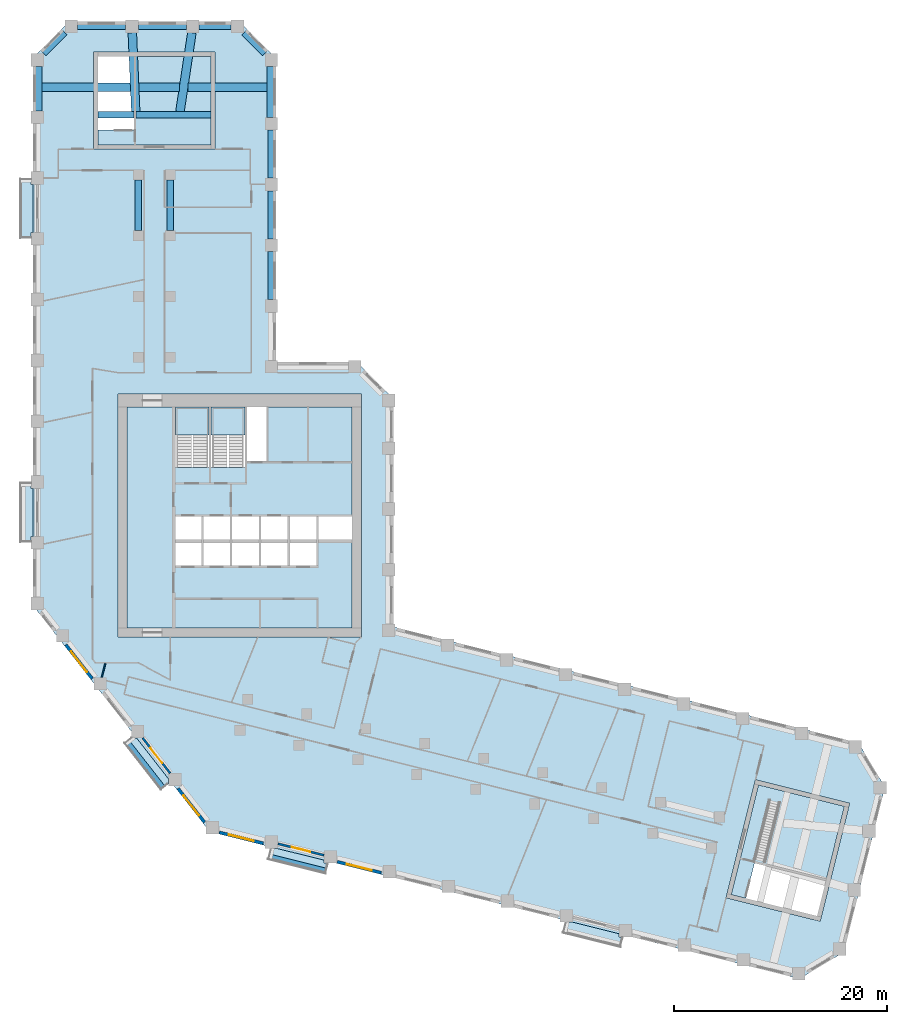
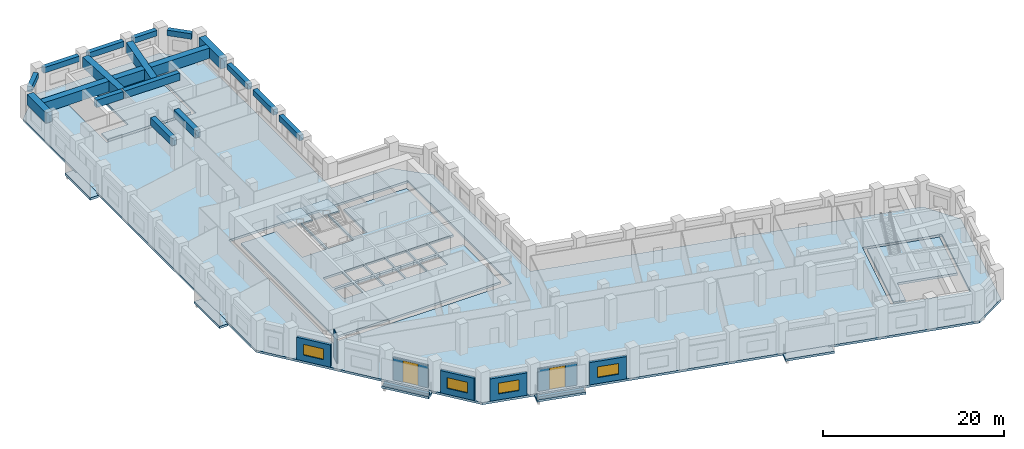
# One storey, part 2 of 10: 19 beams, 11 slabs, 9 walls, 4 windows, 2 doors, 6 openings, 2 elements without a shape of their own.
"""IFC4 building model written with IfcOpenShell, lengths in metres."""

from ifc_helpers import new_model, si_unit, direction, frame, frame_2d, origin, origin_2d, place, context, subcontext, project, spatial, polyline, rectangle, outline, extrude, material, layer, layer_set, material_profile, profile_set, type_object, element, fill, aggregate, save


model = new_model("IFC4")

# Units and contexts
model_context = context("Model", 3, precision=1e-05, world=origin(), true_north=direction((0.0, 1.0)))
body_context = subcontext(model_context, "Body", "Model", "MODEL_VIEW")
ifc_project = project(units=[si_unit("LENGTHUNIT", "METRE"), si_unit("AREAUNIT", "SQUARE_METRE"), si_unit("VOLUMEUNIT", "CUBIC_METRE"), si_unit("PLANEANGLEUNIT", "RADIAN"), si_unit("MASSUNIT", "GRAM", prefix="KILO")], contexts=[model_context])

# Site, building, storey
site_placement = place(None, origin())
site = spatial("IfcSite", under=ifc_project, at=site_placement, CompositionType="ELEMENT")
building_placement = place(site_placement, origin())
building = spatial("IfcBuilding", under=site, at=building_placement, Name="Meshkara Civic Tower", CompositionType="ELEMENT")
storey_placement = place(building_placement, frame((0.0, 0.0, 216.0)))
storey = spatial("IfcBuildingStorey", under=building, at=storey_placement, Name="L49", CompositionType="ELEMENT", Elevation=216.0)

# Beams
ifc_material_1 = material(Name="Concrete C70", Category="concrete")
ifc_material_profile_1 = material_profile(ifc_material_1, rectangle(XDim=0.60009765625, YDim=1.0, at=origin_2d()))
ifc_profile_set_1 = profile_set([ifc_material_profile_1], Name="Concrete C70")
beam_type_1 = type_object("IfcBeamType", Name="Core transfer beam RC 600x1000 C70", PredefinedType="BEAM", material=ifc_profile_set_1)
for number, where, z_axis, x_axis, name in (
    (1, (9.89990234375, 52.25, 3.25), (0.0, 1.0, 0.0), (-1.0, 0.0, 0.0), "Transfer beam A L50 core-side wall"),
    (2, (12.89990234375, 52.25, 3.25), (0.0, 1.0, 0.0), (-1.0, 0.0, 0.0), "Transfer beam A L50 core-side wall"),
):
    element("IfcBeam", number, at=place(storey_placement, frame(where, z_axis=z_axis, x_axis=x_axis)), inside=storey, type_object=beam_type_1, Name=name, PredefinedType="BEAM", context=body_context, shape_type="SweptSolid", body=[
        extrude(rectangle(XDim=0.60009765625, YDim=1.0, at=origin_2d()), origin(), (0.0, 0.0, 1.0), 4.699951171875),
    ])
beam_1_placement = place(storey_placement, frame((6.10009765625, 63.070068359375, 3.25), z_axis=(1.0, 0.0, 0.0), x_axis=(0.0, 1.0, 0.0)))
element("IfcBeam", 3, at=beam_1_placement, inside=storey, type_object=beam_type_1, Name="Transfer beam A L50 tip-side wall", PredefinedType="BEAM", context=body_context, shape_type="SweptSolid", body=[
    extrude(rectangle(XDim=0.60009765625, YDim=1.0, at=origin_2d()), origin(), (0.0, 0.0, 1.0), 3.39990234375),
])
beam_2_placement = place(storey_placement, frame((9.699951171875, 63.070068359375, 3.25), z_axis=(1.0, 0.0, 0.0), x_axis=(0.0, 1.0, 0.0)))
element("IfcBeam", 4, at=beam_2_placement, inside=storey, type_object=beam_type_1, Name="Transfer beam A L50 tip-side wall", PredefinedType="BEAM", context=body_context, shape_type="SweptSolid", body=[
    extrude(rectangle(XDim=0.60009765625, YDim=1.0, at=origin_2d()), origin(), (0.0, 0.0, 1.0), 7.0),
])
ifc_material_2 = material(Name="Concrete C60", Category="concrete")
ifc_material_profile_2 = material_profile(ifc_material_2, rectangle(XDim=0.550048828125, YDim=0.75, at=origin_2d()))
ifc_profile_set_2 = profile_set([ifc_material_profile_2], Name="Concrete C60")
beam_type_2 = type_object("IfcBeamType", Name="Spandrel beam RC 550x750 C60", PredefinedType="BEAM", material=ifc_profile_set_2)
beam_3_placement = place(storey_placement, frame((22.35009765625, 45.7451171875, 3.375), z_axis=(0.0, 1.0, 0.0), x_axis=(-1.0, 0.0, 0.0)))
element("IfcBeam", 5, at=beam_3_placement, inside=storey, type_object=beam_type_2, Name="Spandrel beam AE01-AE02", PredefinedType="BEAM", context=body_context, shape_type="SweptSolid", body=[
    extrude(rectangle(XDim=0.550048828125, YDim=0.75, at=origin_2d()), origin(), (0.0, 0.0, 1.0), 4.509765625),
])
for number, where, z_axis, x_axis, name in (
    (6, (22.35009765625, 51.445068359375, 3.375), (0.0, 1.0, 0.0), (-1.0, 0.0, 0.0), "Spandrel beam AE02-AE03"),
    (7, (22.35009765625, 57.14501953125, 3.375), (0.0, 1.0, 0.0), (-1.0, 0.0, 0.0), "Spandrel beam AE03-AE04"),
):
    element("IfcBeam", number, at=place(storey_placement, frame(where, z_axis=z_axis, x_axis=x_axis)), inside=storey, type_object=beam_type_2, Name=name, PredefinedType="BEAM", context=body_context, shape_type="SweptSolid", body=[
        extrude(rectangle(XDim=0.550048828125, YDim=0.75, at=origin_2d()), origin(), (0.0, 0.0, 1.0), 4.510009765625),
    ])
beam_4_placement = place(storey_placement, frame((21.75341796875, 68.810546875, 3.375), z_axis=(-0.707106781187, 0.707106781187, 0.0), x_axis=(-0.707106781187, -0.707106781187, 0.0)))
element("IfcBeam", 8, at=beam_4_placement, inside=storey, type_object=beam_type_2, Name="Spandrel beam AEEP2-ATiEP2", PredefinedType="BEAM", context=body_context, shape_type="SweptSolid", body=[
    extrude(rectangle(XDim=0.550048828125, YDim=0.75, at=origin_2d()), origin(), (0.0, 0.0, 1.0), 2.77587890625),
])
beam_5_placement = place(storey_placement, frame((18.59912109375, 71.3701171875, 3.375), z_axis=(-1.0, 0.0, 0.0), x_axis=(0.0, -1.0, 0.0)))
element("IfcBeam", 9, at=beam_5_placement, inside=storey, type_object=beam_type_2, Name="Spandrel beam AT02-P2-ATiEP2", PredefinedType="BEAM", context=body_context, shape_type="SweptSolid", body=[
    extrude(rectangle(XDim=0.550048828125, YDim=0.75, at=origin_2d()), origin(), (0.0, 0.0, 1.0), 2.998046875),
])
for number, where, z_axis, x_axis, name in (
    (10, (14.410888671875, 71.3701171875, 3.375), (-1.0, 0.0, 0.0), (0.0, -1.0, 0.0), "Spandrel beam AT01-P2-AT02-P2"),
    (11, (8.7109375, 71.3701171875, 3.375), (-1.0, 0.0, 0.0), (0.0, -1.0, 0.0), "Spandrel beam AT00-P2-AT01-P2"),
):
    element("IfcBeam", number, at=place(storey_placement, frame(where, z_axis=z_axis, x_axis=x_axis)), inside=storey, type_object=beam_type_2, Name=name, PredefinedType="BEAM", context=body_context, shape_type="SweptSolid", body=[
        extrude(rectangle(XDim=0.550048828125, YDim=0.75, at=origin_2d()), origin(), (0.0, 0.0, 1.0), 4.510009765625),
    ])
beam_6_placement = place(storey_placement, frame((3.009521484375, 70.7734375, 3.375), z_axis=(-0.707150751387, -0.707062808252, 0.0), x_axis=(0.707062808252, -0.707150751387, 0.0)))
element("IfcBeam", 12, at=beam_6_placement, inside=storey, type_object=beam_type_2, Name="Spandrel beam AT00-P2-ATo00-P2", PredefinedType="BEAM", context=body_context, shape_type="SweptSolid", body=[
    extrude(rectangle(XDim=0.550048828125, YDim=0.75, at=origin_2d()), origin(), (0.0, 0.0, 1.0), 2.776123046875),
])
ifc_material_3 = material(Name="Concrete C70", Category="concrete")
ifc_material_profile_3 = material_profile(ifc_material_3, rectangle(XDim=0.800048828125, YDim=1.39990234375, at=origin_2d()))
ifc_profile_set_3 = profile_set([ifc_material_profile_3], Name="Concrete C70")
beam_type_3 = type_object("IfcBeamType", Name="Transfer girder RC 800x1400 C70", PredefinedType="BEAM", material=ifc_profile_set_3)
beam_7_placement = place(storey_placement, frame((22.35009765625, 62.844970703125, 3.050048828125), z_axis=(0.0, 1.0, 0.0), x_axis=(-1.0, 0.0, 0.0)))
element("IfcBeam", 13, at=beam_7_placement, inside=storey, type_object=beam_type_3, Name="Transfer girder AE04-AEEP2", PredefinedType="BEAM", context=body_context, shape_type="SweptSolid", body=[
    extrude(rectangle(XDim=0.800048828125, YDim=1.39990234375, at=origin_2d()), origin(), (0.0, 0.0, 1.0), 4.77392578125),
])
beam_8_placement = place(storey_placement, frame((0.449951171875, 63.449951171875, 3.050048828125), z_axis=(0.0, 1.0, 0.0), x_axis=(-1.0, 0.0, 0.0)))
element("IfcBeam", 14, at=beam_8_placement, inside=storey, type_object=beam_type_3, Name="Transfer girder ATo00-P2-AW08", PredefinedType="BEAM", context=body_context, shape_type="SweptSolid", body=[
    extrude(rectangle(XDim=0.800048828125, YDim=1.39990234375, at=origin_2d()), origin(), (0.0, 0.0, 1.0), 4.1689453125),
])
beam_9_placement = place(storey_placement, frame((9.6474609375, 63.3701171875, 3.050048828125), z_axis=(-0.042658133766, 0.999089727514, 0.0), x_axis=(-0.999089727514, -0.042658133766, 0.0)))
element("IfcBeam", 15, at=beam_9_placement, inside=storey, type_object=beam_type_3, Name="Transfer girder AT01-P2-SA1-07", PredefinedType="BEAM", context=body_context, shape_type="SweptSolid", body=[
    extrude(rectangle(XDim=0.800048828125, YDim=1.39990234375, at=origin_2d()), origin(), (0.0, 0.0, 1.0), 7.41162109375),
])
beam_10_placement = place(storey_placement, frame((13.795654296875, 63.3701171875, 3.050048828125), z_axis=(0.149599682497, 0.988746648539, 0.0), x_axis=(-0.988746648539, 0.149599682497, 0.0)))
element("IfcBeam", 16, at=beam_10_placement, inside=storey, type_object=beam_type_3, Name="Transfer girder AT02-P2-SA2-07", PredefinedType="BEAM", context=body_context, shape_type="SweptSolid", body=[
    extrude(rectangle(XDim=0.800048828125, YDim=1.39990234375, at=origin_2d()), origin(), (0.0, 0.0, 1.0), 7.489013671875),
])
beam_11_placement = place(storey_placement, frame((0.85009765625, 65.669921875, 3.050048828125), z_axis=(1.0, 0.0, 0.0), x_axis=(0.0, 1.0, 0.0)))
element("IfcBeam", 17, at=beam_11_placement, inside=storey, type_object=beam_type_3, Name="Transfer girder tip A L50", PredefinedType="BEAM", context=body_context, shape_type="SweptSolid", body=[
    extrude(rectangle(XDim=0.800048828125, YDim=1.39990234375, at=origin_2d()), origin(), (0.0, 0.0, 1.0), 8.299072265625),
])
beam_12_placement = place(storey_placement, frame((9.94921875, 65.669921875, 3.050048828125), z_axis=(1.0, 0.0, 0.0), x_axis=(0.0, 1.0, 0.0)))
element("IfcBeam", 18, at=beam_12_placement, inside=storey, type_object=beam_type_3, Name="Transfer girder tip A L50", PredefinedType="BEAM", context=body_context, shape_type="SweptSolid", body=[
    extrude(rectangle(XDim=0.800048828125, YDim=1.39990234375, at=origin_2d()), origin(), (0.0, 0.0, 1.0), 3.79443359375),
])
beam_13_placement = place(storey_placement, frame((14.543701171875, 65.669921875, 3.050048828125), z_axis=(1.0, 0.0, 0.0), x_axis=(0.0, 1.0, 0.0)))
element("IfcBeam", 19, at=beam_13_placement, inside=storey, type_object=beam_type_3, Name="Transfer girder tip A L50", PredefinedType="BEAM", context=body_context, shape_type="SweptSolid", body=[
    extrude(rectangle(XDim=0.800048828125, YDim=1.39990234375, at=origin_2d()), origin(), (0.0, 0.0, 1.0), 7.40625),
])

# Slabs
ifc_material_4 = material(Name="Concrete C40", Category="concrete")
ifc_layer_1 = layer(ifc_material_4, 0.300048828125)
ifc_layer_set_1 = layer_set([ifc_layer_1], Name="BALCONY SLAB")
slab_type_1 = type_object("IfcSlabType", Name="BALCONY SLAB", PredefinedType="FLOOR", material=ifc_layer_set_1)
slab_1_placement = place(storey_placement, frame((0.0, 0.0, -0.300048828125)))
element("IfcSlab", 20, at=slab_1_placement, inside=storey, type_object=slab_type_1, Name="Balcony slab", PredefinedType="FLOOR", context=body_context, shape_type="SweptSolid", body=[
    extrude(outline(polyline([(-1.199951171875, 51.514892578125), (-1.199951171875, 57.094970703125), (-0.14990234375, 57.094970703125), (-0.14990234375, 56.554931640625), (0.0, 56.554931640625), (0.0, 52.054931640625), (-0.14990234375, 52.054931640625), (-0.14990234375, 51.514892578125), (-1.199951171875, 51.514892578125)])), origin(), (0.0, 0.0, 1.0), 0.300048828125),
])
slab_2_placement = place(storey_placement, frame((0.0, 0.0, -0.300048828125)))
element("IfcSlab", 21, at=slab_2_placement, inside=storey, type_object=slab_type_1, Name="Balcony slab", PredefinedType="FLOOR", context=body_context, shape_type="SweptSolid", body=[
    extrude(outline(polyline([(-1.199951171875, 23.014892578125), (-1.199951171875, 28.594970703125), (-0.14990234375, 28.594970703125), (-0.14990234375, 28.054931640625), (0.0, 28.054931640625), (0.0, 23.554931640625), (-0.14990234375, 23.554931640625), (-0.14990234375, 23.014892578125), (-1.199951171875, 23.014892578125)])), origin(), (0.0, 0.0, 1.0), 0.300048828125),
])
slab_3_placement = place(storey_placement, frame((0.0, 0.0, -0.300048828125)))
element("IfcSlab", 22, at=slab_3_placement, inside=storey, type_object=slab_type_1, Name="Balcony slab", PredefinedType="FLOOR", context=body_context, shape_type="SweptSolid", body=[
    extrude(outline(polyline([(12.0048828125, -0.215087890625), (8.570068359375, 4.181884765625), (9.23291015625, 4.699951171875), (9.23291015625, 4.64501953125), (9.73095703125, 4.64501953125), (12.741943359375, 0.791015625), (12.741943359375, 0.361083984375), (12.0048828125, -0.215087890625)])), origin(), (0.0, 0.0, 1.0), 0.300048828125),
])
slab_4_placement = place(storey_placement, frame((0.0, 0.0, -0.300048828125)))
element("IfcSlab", 23, at=slab_4_placement, inside=storey, type_object=slab_type_1, Name="Balcony slab", PredefinedType="FLOOR", context=body_context, shape_type="SweptSolid", body=[
    extrude(outline(polyline([(27.455078125, -8.08203125), (22.041015625, -6.73193359375), (22.2939453125, -5.717041015625), (22.928955078125, -5.717041015625), (27.31201171875, -6.81005859375), (27.31201171875, -7.095947265625), (27.700927734375, -7.095947265625), (27.455078125, -8.08203125)])), origin(), (0.0, 0.0, 1.0), 0.300048828125),
])
slab_5_placement = place(storey_placement, frame((0.0, 0.0, -0.300048828125)))
element("IfcSlab", 24, at=slab_5_placement, inside=storey, type_object=slab_type_1, Name="Balcony slab", PredefinedType="FLOOR", context=body_context, shape_type="SweptSolid", body=[
    extrude(outline(polyline([(55.10888671875, -14.97705078125), (49.694091796875, -13.626953125), (49.947021484375, -12.611083984375), (50.5810546875, -12.611083984375), (54.966064453125, -13.7041015625), (54.966064453125, -13.989990234375), (55.35498046875, -13.989990234375), (55.10888671875, -14.97705078125)])), origin(), (0.0, 0.0, 1.0), 0.300048828125),
])
ifc_material_5 = material(Name="Concrete C40/50", Category="concrete")
ifc_layer_2 = layer(ifc_material_5, 0.300048828125)
ifc_layer_set_2 = layer_set([ifc_layer_2], Name="Core floor slab 300 C40/50")
slab_type_2 = type_object("IfcSlabType", Name="Core floor slab 300 C40/50", PredefinedType="FLOOR", material=ifc_layer_set_2)
slab_6_placement = place(storey_placement, frame((0.0, 0.0, -0.300048828125)))
element("IfcSlab", 25, at=slab_6_placement, inside=storey, type_object=slab_type_2, Name="Core floor K", PredefinedType="FLOOR", context=body_context, shape_type="SweptSolid", body=[
    extrude(outline(polyline([(8.85009765625, 35.699951171875), (13.3701171875, 35.699951171875), (13.3701171875, 30.00146484375), (16.5, 30.00146484375), (16.5, 35.699951171875), (16.699951171875, 35.699951171875), (16.699951171875, 30.00146484375), (19.89990234375, 30.00146484375), (19.89990234375, 35.699951171875), (20.10009765625, 35.699951171875), (20.10009765625, 30.574951171875), (21.925048828125, 30.574951171875), (21.925048828125, 35.699951171875), (29.949951171875, 35.699951171875), (29.949951171875, 25.39990234375), (26.800048828125, 25.39990234375), (26.800048828125, 23.27001953125), (29.949951171875, 23.27001953125), (29.949951171875, 14.949951171875), (8.85009765625, 14.949951171875), (8.85009765625, 35.699951171875)]), holes=[polyline([(15.800048828125, 22.929931640625), (13.3701171875, 22.929931640625), (13.3701171875, 20.800048828125), (15.800048828125, 20.800048828125), (15.800048828125, 22.929931640625)]), polyline([(16.0, 22.929931640625), (16.0, 20.800048828125), (18.5, 20.800048828125), (18.5, 22.929931640625), (16.0, 22.929931640625)]), polyline([(18.699951171875, 22.929931640625), (18.699951171875, 20.800048828125), (21.199951171875, 20.800048828125), (21.199951171875, 22.929931640625), (18.699951171875, 22.929931640625)]), polyline([(15.800048828125, 23.27001953125), (15.800048828125, 25.39990234375), (13.3701171875, 25.39990234375), (13.3701171875, 23.27001953125), (15.800048828125, 23.27001953125)]), polyline([(16.0, 25.39990234375), (16.0, 23.27001953125), (18.5, 23.27001953125), (18.5, 25.39990234375), (16.0, 25.39990234375)]), polyline([(23.89990234375, 20.800048828125), (23.89990234375, 22.929931640625), (21.39990234375, 22.929931640625), (21.39990234375, 20.800048828125), (23.89990234375, 20.800048828125)]), polyline([(24.10009765625, 20.800048828125), (26.60009765625, 20.800048828125), (26.60009765625, 22.929931640625), (24.10009765625, 22.929931640625), (24.10009765625, 20.800048828125)]), polyline([(18.699951171875, 25.39990234375), (18.699951171875, 23.27001953125), (21.199951171875, 23.27001953125), (21.199951171875, 25.39990234375), (18.699951171875, 25.39990234375)]), polyline([(21.39990234375, 23.27001953125), (23.89990234375, 23.27001953125), (23.89990234375, 25.39990234375), (21.39990234375, 25.39990234375), (21.39990234375, 23.27001953125)]), polyline([(24.10009765625, 23.27001953125), (26.60009765625, 23.27001953125), (26.60009765625, 25.39990234375), (24.10009765625, 25.39990234375), (24.10009765625, 23.27001953125)])]), origin(), (0.0, 0.0, 1.0), 0.300048828125),
])
slab_7_placement = place(storey_placement, frame((0.0, 0.0, -0.300048828125)))
element("IfcSlab", 26, at=slab_7_placement, inside=storey, type_object=slab_type_2, Name="Core floor EA", PredefinedType="FLOOR", context=body_context, shape_type="SweptSolid", body=[
    extrude(outline(polyline([(16.699951171875, 60.27001953125), (16.699951171875, 68.570068359375), (9.5, 68.570068359375), (9.5, 61.67138671875), (6.10009765625, 61.67138671875), (6.10009765625, 60.27001953125), (16.699951171875, 60.27001953125)])), origin(), (0.0, 0.0, 1.0), 0.300048828125),
])
slab_8_placement = place(storey_placement, frame((0.0, 0.0, -0.300048828125)))
element("IfcSlab", 27, at=slab_8_placement, inside=storey, type_object=slab_type_2, Name="Core floor EB", PredefinedType="FLOOR", context=body_context, shape_type="SweptSolid", body=[
    extrude(outline(polyline([(68.050537109375, 0.244384765625), (76.10400390625, -1.763671875), (74.362060546875, -8.749755859375), (67.66845703125, -7.080810546875), (66.845947265625, -10.3798828125), (65.486083984375, -10.040771484375), (68.050537109375, 0.244384765625)])), origin(), (0.0, 0.0, 1.0), 0.300048828125),
])

# Stair, slab
ifc_material_6 = material(Name="Precast concrete C40/50", Category="concrete")
stair_type = type_object("IfcStairType", Name="Exit stair half-turn 24 risers precast", PredefinedType="HALF_TURN_STAIR", material=ifc_material_6)
stair_1_placement = place(storey_placement, origin())
stair_1 = element("IfcStair", 28, at=stair_1_placement, inside=storey, type_object=stair_type, Name="L49 exit stair 1", PredefinedType="HALF_TURN_STAIR")
ifc_material_7 = material(Name="Precast concrete C40/50", Category="concrete")
ifc_layer_3 = layer(ifc_material_7, 0.199951171875)
ifc_layer_set_3 = layer_set([ifc_layer_3], Name="Exit stair landing 200")
slab_type_3 = type_object("IfcSlabType", Name="Exit stair landing 200", PredefinedType="LANDING", material=ifc_layer_set_3)
slab_9_placement = place(storey_placement, frame((0.0, 0.0, 1.89990234375)))
slab_9 = element("IfcSlab", 29, at=slab_9_placement, type_object=slab_type_3, Name="ST1 landing 1", PredefinedType="LANDING", context=body_context, shape_type="SweptSolid", body=[
    extrude(outline(polyline([(16.5, 33.07861328125), (16.5, 35.699951171875), (13.3701171875, 35.699951171875), (13.3701171875, 33.07861328125), (16.5, 33.07861328125)])), origin(), (0.0, 0.0, 1.0), 0.2001953125),
])
aggregate(stair_1, [slab_9])

stair_2_placement = place(storey_placement, origin())
stair_2 = element("IfcStair", 30, at=stair_2_placement, inside=storey, type_object=stair_type, Name="L49 exit stair 2", PredefinedType="HALF_TURN_STAIR")
slab_10_placement = place(storey_placement, frame((0.0, 0.0, 1.89990234375)))
slab_10 = element("IfcSlab", 31, at=slab_10_placement, type_object=slab_type_3, Name="ST2 landing 1", PredefinedType="LANDING", context=body_context, shape_type="SweptSolid", body=[
    extrude(outline(polyline([(19.89990234375, 33.07861328125), (19.89990234375, 35.699951171875), (16.699951171875, 35.699951171875), (16.699951171875, 33.07861328125), (19.89990234375, 33.07861328125)])), origin(), (0.0, 0.0, 1.0), 0.2001953125),
])
aggregate(stair_2, [slab_10])

# Slab
ifc_material_8 = material(Name="Concrete C50", Category="concrete")
ifc_layer_4 = layer(ifc_material_8, 0.300048828125)
ifc_layer_set_4 = layer_set([ifc_layer_4], Name="Post-tensioned flat slab 300 C50")
slab_type_4 = type_object("IfcSlabType", Name="Post-tensioned flat slab 300 C50", PredefinedType="FLOOR", material=ifc_layer_set_4)
slab_11_placement = place(storey_placement, frame((0.0, 0.0, -0.300048828125)))
element("IfcSlab", 32, at=slab_11_placement, inside=storey, type_object=slab_type_4, Name="Post-tensioned flat slab L49", PredefinedType="FLOOR", context=body_context, shape_type="SweptSolid", body=[
    extrude(outline(polyline([(76.044921875, -15.43505859375), (71.89892578125, -17.926025390625), (16.592041015625, -4.136962890625), (0.0, 17.10009765625), (0.0, 68.39990234375), (3.419921875, 71.820068359375), (19.3798828125, 71.820068359375), (22.800048828125, 68.39990234375), (22.800048828125, 39.89990234375), (30.3798828125, 39.89990234375), (33.800048828125, 36.47998046875), (33.800048828125, 15.071044921875), (77.4150390625, 4.196044921875), (79.906005859375, 0.051025390625), (76.044921875, -15.43505859375)]), holes=[polyline([(73.8310546875, -12.533935546875), (76.589111328125, -1.471923828125), (67.759033203125, 0.72900390625), (65.0009765625, -10.33203125), (73.8310546875, -12.533935546875)]), polyline([(8.0, 14.10009765625), (30.800048828125, 14.10009765625), (30.800048828125, 36.89990234375), (8.0, 36.89990234375), (8.0, 14.10009765625)]), polyline([(5.699951171875, 68.969970703125), (5.699951171875, 59.8701171875), (17.10009765625, 59.8701171875), (17.10009765625, 68.969970703125), (5.699951171875, 68.969970703125)])]), origin(), (0.0, 0.0, 1.0), 0.300048828125),
])

# Wall, opening, window
ifc_material_9 = material(Name="Insulated infill panel with bronze anodised aluminium cladding", Category="aluminium")
ifc_layer_5 = layer(ifc_material_9, 0.300048828125)
ifc_layer_set_5 = layer_set([ifc_layer_5], Name="EXTERNAL INFILL WALL 300")
wall_type_1 = type_object("IfcWallType", Name="EXTERNAL INFILL WALL 300", PredefinedType="SOLIDWALL", material=ifc_layer_set_5)
wall_1_placement = place(storey_placement, frame((3.095947265625, 13.381103515625, 0.0), z_axis=(0.0, 0.0, 1.0), x_axis=(0.615563820493, -0.78808704018, 0.0)))
wall_1 = element("IfcWall", 33, at=wall_1_placement, inside=storey, type_object=wall_type_1, Name="External wall", PredefinedType="SOLIDWALL", context=body_context, shape_type="SweptSolid", body=[
    extrude(rectangle(XDim=4.01611328125, YDim=0.300048828125, at=frame_2d((2.008056640625, 0.0))), origin(), (0.0, 0.0, 1.0), 3.0),
])
opening_1_placement = place(wall_1_placement, frame((0.80810546875, 0.0, 0.800048828125)))
opening_1 = element("IfcOpeningElement", 34, at=opening_1_placement, cuts=wall_1, Name="Opening W8", PredefinedType="OPENING", context=body_context, shape_type="SweptSolid", body=[
    extrude(rectangle(XDim=2.39990234375, YDim=1.449951171875, at=frame_2d((1.199951171875, 0.72509765625))), frame((0.0, 0.159912109375, 0.0), z_axis=(0.0, -1.0, 0.0), x_axis=(1.0, 0.0, 0.0)), (0.0, 0.0, 1.0), 0.320068359375),
])
ifc_material_10 = material(Name="Tinted double glazing", Category="glass")
window_type = type_object("IfcWindowType", Name="WINDOW 2400x1450", PartitioningType="DOUBLE_PANEL_VERTICAL", PredefinedType="WINDOW", material=ifc_material_10)
window_1_placement = place(opening_1_placement, origin())
window_1 = element("IfcWindow", 35, at=window_1_placement, inside=storey, type_object=window_type, Name="Window", OverallHeight=1.449951171875, OverallWidth=2.39990234375, PartitioningType="DOUBLE_PANEL_VERTICAL", PredefinedType="WINDOW", context=body_context, shape_type="SweptSolid", body=[
    extrude(rectangle(XDim=2.39990234375, YDim=1.449951171875, at=frame_2d((1.199951171875, 0.72509765625))), frame((0.0, 0.030029296875, 0.0), z_axis=(0.0, -1.0, 0.0), x_axis=(1.0, 0.0, 0.0)), (0.0, 0.0, 1.0), 0.06005859375),
])
fill(opening_1, window_1)

wall_2_placement = place(storey_placement, frame((13.6240234375, -0.093994140625, 0.0), z_axis=(0.0, 0.0, 1.0), x_axis=(0.615526062586, -0.7881165309, 0.0)))
wall_2 = element("IfcWall", 36, at=wall_2_placement, inside=storey, type_object=wall_type_1, Name="External wall", PredefinedType="SOLIDWALL", context=body_context, shape_type="SweptSolid", body=[
    extrude(rectangle(XDim=4.015869140625, YDim=0.300048828125, at=frame_2d((2.0078125, 0.0))), origin(), (0.0, 0.0, 1.0), 3.0),
])
opening_2_placement = place(wall_2_placement, frame((0.80810546875, 0.0, 0.800048828125)))
opening_2 = element("IfcOpeningElement", 37, at=opening_2_placement, cuts=wall_2, Name="Opening W8", PredefinedType="OPENING", context=body_context, shape_type="SweptSolid", body=[
    extrude(rectangle(XDim=2.39990234375, YDim=1.449951171875, at=frame_2d((1.199951171875, 0.72509765625))), frame((0.0, 0.159912109375, 0.0), z_axis=(0.0, -1.0, 0.0), x_axis=(1.0, 0.0, 0.0)), (0.0, 0.0, 1.0), 0.320068359375),
])
window_2_placement = place(opening_2_placement, origin())
window_2 = element("IfcWindow", 38, at=window_2_placement, inside=storey, type_object=window_type, Name="Window", OverallHeight=1.449951171875, OverallWidth=2.39990234375, PartitioningType="DOUBLE_PANEL_VERTICAL", PredefinedType="WINDOW", context=body_context, shape_type="SweptSolid", body=[
    extrude(rectangle(XDim=2.39990234375, YDim=1.449951171875, at=frame_2d((1.199951171875, 0.72509765625))), frame((0.0, 0.030029296875, 0.0), z_axis=(0.0, -1.0, 0.0), x_axis=(1.0, 0.0, 0.0)), (0.0, 0.0, 1.0), 0.06005859375),
])
fill(opening_2, window_2)

wall_3_placement = place(storey_placement, frame((17.48388671875, -4.205078125, 0.0), z_axis=(0.0, 0.0, 1.0), x_axis=(0.970318118028, -0.241832069473, 0.0)))
wall_3 = element("IfcWall", 39, at=wall_3_placement, inside=storey, type_object=wall_type_1, Name="External wall", PredefinedType="SOLIDWALL", context=body_context, shape_type="SweptSolid", body=[
    extrude(rectangle(XDim=4.24609375, YDim=0.300048828125, at=frame_2d((2.123046875, 0.0))), origin(), (0.0, 0.0, 1.0), 3.0),
])
opening_3_placement = place(wall_3_placement, frame((0.923095703125, 0.0, 0.800048828125)))
opening_3 = element("IfcOpeningElement", 40, at=opening_3_placement, cuts=wall_3, Name="Opening W8", PredefinedType="OPENING", context=body_context, shape_type="SweptSolid", body=[
    extrude(rectangle(XDim=2.39990234375, YDim=1.449951171875, at=frame_2d((1.199951171875, 0.72509765625))), frame((0.0, 0.159912109375, 0.0), z_axis=(0.0, -1.0, 0.0), x_axis=(1.0, 0.0, 0.0)), (0.0, 0.0, 1.0), 0.320068359375),
])
window_3_placement = place(opening_3_placement, origin())
window_3 = element("IfcWindow", 41, at=window_3_placement, inside=storey, type_object=window_type, Name="Window", OverallHeight=1.449951171875, OverallWidth=2.39990234375, PartitioningType="DOUBLE_PANEL_VERTICAL", PredefinedType="WINDOW", context=body_context, shape_type="SweptSolid", body=[
    extrude(rectangle(XDim=2.39990234375, YDim=1.449951171875, at=frame_2d((1.199951171875, 0.72509765625))), frame((0.0, 0.030029296875, 0.0), z_axis=(0.0, -1.0, 0.0), x_axis=(1.0, 0.0, 0.0)), (0.0, 0.0, 1.0), 0.06005859375),
])
fill(opening_3, window_3)

wall_4_placement = place(storey_placement, frame((28.544921875, -6.962890625, 0.0), z_axis=(0.0, 0.0, 1.0), x_axis=(0.97030462482, -0.241886202691, 0.0)))
wall_4 = element("IfcWall", 42, at=wall_4_placement, inside=storey, type_object=wall_type_1, Name="External wall", PredefinedType="SOLIDWALL", context=body_context, shape_type="SweptSolid", body=[
    extrude(rectangle(XDim=4.24609375, YDim=0.300048828125, at=frame_2d((2.123046875, 0.0))), origin(), (0.0, 0.0, 1.0), 3.0),
])
opening_4_placement = place(wall_4_placement, frame((0.923095703125, 0.0, 0.800048828125)))
opening_4 = element("IfcOpeningElement", 43, at=opening_4_placement, cuts=wall_4, Name="Opening W8", PredefinedType="OPENING", context=body_context, shape_type="SweptSolid", body=[
    extrude(rectangle(XDim=2.39990234375, YDim=1.449951171875, at=frame_2d((1.199951171875, 0.72509765625))), frame((0.0, 0.159912109375, 0.0), z_axis=(0.0, -1.0, 0.0), x_axis=(1.0, 0.0, 0.0)), (0.0, 0.0, 1.0), 0.320068359375),
])
window_4_placement = place(opening_4_placement, origin())
window_4 = element("IfcWindow", 44, at=window_4_placement, inside=storey, type_object=window_type, Name="Window", OverallHeight=1.449951171875, OverallWidth=2.39990234375, PartitioningType="DOUBLE_PANEL_VERTICAL", PredefinedType="WINDOW", context=body_context, shape_type="SweptSolid", body=[
    extrude(rectangle(XDim=2.39990234375, YDim=1.449951171875, at=frame_2d((1.199951171875, 0.72509765625))), frame((0.0, 0.030029296875, 0.0), z_axis=(0.0, -1.0, 0.0), x_axis=(1.0, 0.0, 0.0)), (0.0, 0.0, 1.0), 0.06005859375),
])
fill(opening_4, window_4)

# Wall, opening, door
ifc_material_11 = material(Name="Insulated infill panel with bronze anodised aluminium cladding", Category="aluminium")
ifc_layer_6 = layer(ifc_material_11, 0.199951171875)
ifc_layer_set_6 = layer_set([ifc_layer_6], Name="LOGGIA BACK WALL 200")
wall_type_2 = type_object("IfcWallType", Name="LOGGIA BACK WALL 200", PredefinedType="SOLIDWALL", material=ifc_layer_set_6)
wall_5_placement = place(storey_placement, frame((10.302001953125, 4.64501953125, 0.0), z_axis=(0.0, 0.0, 1.0), x_axis=(0.615634966381, -0.788031463946, 0.0)))
wall_5 = element("IfcWall", 45, at=wall_5_placement, inside=storey, type_object=wall_type_2, Name="Loggia wall", PredefinedType="SOLIDWALL", context=body_context, shape_type="SweptSolid", body=[
    extrude(rectangle(XDim=4.17626953125, YDim=0.199951171875, at=frame_2d((2.088134765625, 0.0))), origin(), (0.0, 0.0, 1.0), 3.0),
])
opening_5_placement = place(wall_5_placement, frame((1.18798828125, 0.0, 0.0)))
opening_5 = element("IfcOpeningElement", 46, at=opening_5_placement, cuts=wall_5, Name="Opening L49-L003", PredefinedType="OPENING", context=body_context, shape_type="SweptSolid", body=[
    extrude(rectangle(XDim=1.800048828125, YDim=2.89990234375, at=frame_2d((0.89990234375, 1.449951171875))), frame((0.0, 0.10986328125, 0.0), z_axis=(0.0, -1.0, 0.0), x_axis=(1.0, 0.0, 0.0)), (0.0, 0.0, 1.0), 0.219970703125),
])
ifc_material_12 = material(Name="Tinted double glazing", Category="glass")
door_type = type_object("IfcDoorType", Name="LOGGIA DOOR 1800x2900", OperationType="DOUBLE_DOOR_SINGLE_SWING", PredefinedType="DOOR", material=ifc_material_12)
door_1_placement = place(opening_5_placement, origin())
door_1 = element("IfcDoor", 47, at=door_1_placement, inside=storey, type_object=door_type, Name="L49-L003", OperationType="DOUBLE_DOOR_SINGLE_SWING", OverallHeight=2.89990234375, OverallWidth=1.800048828125, PredefinedType="DOOR", context=body_context, shape_type="SweptSolid", body=[
    extrude(rectangle(XDim=1.800048828125, YDim=2.89990234375, at=frame_2d((0.89990234375, 1.449951171875))), frame((0.0, 0.02490234375, 0.0), z_axis=(0.0, -1.0, 0.0), x_axis=(1.0, 0.0, 0.0)), (0.0, 0.0, 1.0), 0.050048828125),
])
fill(opening_5, door_1)

wall_6_placement = place(storey_placement, frame((22.98193359375, -5.26611328125, 0.0), z_axis=(0.0, 0.0, 1.0), x_axis=(0.970283929489, -0.241969205014, 0.0)))
wall_6 = element("IfcWall", 48, at=wall_6_placement, inside=storey, type_object=wall_type_2, Name="Loggia wall", PredefinedType="SOLIDWALL", context=body_context, shape_type="SweptSolid", body=[
    extrude(rectangle(XDim=4.462646484375, YDim=0.199951171875, at=frame_2d((2.2314453125, 0.0))), origin(), (0.0, 0.0, 1.0), 3.0),
])
opening_6_placement = place(wall_6_placement, frame((1.3310546875, 0.0, 0.0)))
opening_6 = element("IfcOpeningElement", 49, at=opening_6_placement, cuts=wall_6, Name="Opening L49-L004", PredefinedType="OPENING", context=body_context, shape_type="SweptSolid", body=[
    extrude(rectangle(XDim=1.800048828125, YDim=2.89990234375, at=frame_2d((0.89990234375, 1.449951171875))), frame((0.0, 0.10986328125, 0.0), z_axis=(0.0, -1.0, 0.0), x_axis=(1.0, 0.0, 0.0)), (0.0, 0.0, 1.0), 0.219970703125),
])
door_2_placement = place(opening_6_placement, origin())
door_2 = element("IfcDoor", 50, at=door_2_placement, inside=storey, type_object=door_type, Name="L49-L004", OperationType="DOUBLE_DOOR_SINGLE_SWING", OverallHeight=2.89990234375, OverallWidth=1.800048828125, PredefinedType="DOOR", context=body_context, shape_type="SweptSolid", body=[
    extrude(rectangle(XDim=1.800048828125, YDim=2.89990234375, at=frame_2d((0.89990234375, 1.449951171875))), frame((0.0, 0.02490234375, 0.0), z_axis=(0.0, -1.0, 0.0), x_axis=(1.0, 0.0, 0.0)), (0.0, 0.0, 1.0), 0.050048828125),
])
fill(opening_6, door_2)

# Walls
ifc_material_13 = material(Name="Concrete C40", Category="concrete")
ifc_layer_7 = layer(ifc_material_13, 0.39990234375)
ifc_layer_set_7 = layer_set([ifc_layer_7], Name="PLANTER TRAY")
wall_type_3 = type_object("IfcWallType", Name="PLANTER TRAY", PredefinedType="SOLIDWALL", material=ifc_layer_set_7)
wall_7_placement = place(storey_placement, frame((8.889892578125, 4.2919921875, 0.0), z_axis=(0.0, 0.0, 1.0), x_axis=(0.615636085037, -0.788030590016, 0.0)))
element("IfcWall", 51, at=wall_7_placement, inside=storey, type_object=wall_type_3, Name="Planter", PredefinedType="SOLIDWALL", context=body_context, shape_type="SweptSolid", body=[
    extrude(rectangle(XDim=5.35888671875, YDim=0.39990234375, at=frame_2d((2.679443359375, 0.0))), origin(), (0.0, 0.0, 1.0), 0.300048828125),
])
wall_8_placement = place(storey_placement, frame((22.22509765625, -6.447998046875, 0.0), z_axis=(0.0, 0.0, 1.0), x_axis=(0.970268314528, -0.242031811592, 0.0)))
element("IfcWall", 52, at=wall_8_placement, inside=storey, type_object=wall_type_3, Name="Planter", PredefinedType="SOLIDWALL", context=body_context, shape_type="SweptSolid", body=[
    extrude(rectangle(XDim=5.359375, YDim=0.39990234375, at=frame_2d((2.6796875, 0.0))), origin(), (0.0, 0.0, 1.0), 0.300048828125),
])
ifc_material_14 = material(Name="Partition 100")
ifc_layer_8 = layer(ifc_material_14, 0.10009765625)
ifc_layer_set_8 = layer_set([ifc_layer_8], Name="Partition 100")
wall_type_4 = type_object("IfcWallType", Name="Partition 100", PredefinedType="PARTITIONING", material=ifc_layer_set_8)
wall_9_placement = place(storey_placement, frame((6.797119140625, 11.637939453125, 0.0), z_axis=(0.0, 0.0, 1.0), x_axis=(-0.242492789119, -0.97015320812, 0.0)))
element("IfcWall", 53, at=wall_9_placement, inside=storey, type_object=wall_type_4, Name="L49-W048", PredefinedType="PARTITIONING", context=body_context, shape_type="SweptSolid", body=[
    extrude(rectangle(XDim=1.341064453125, YDim=0.10009765625, at=frame_2d((0.67041015625, 0.0))), origin(), (0.0, 0.0, 1.0), 3.75),
])

save(model, "model.ifc")
